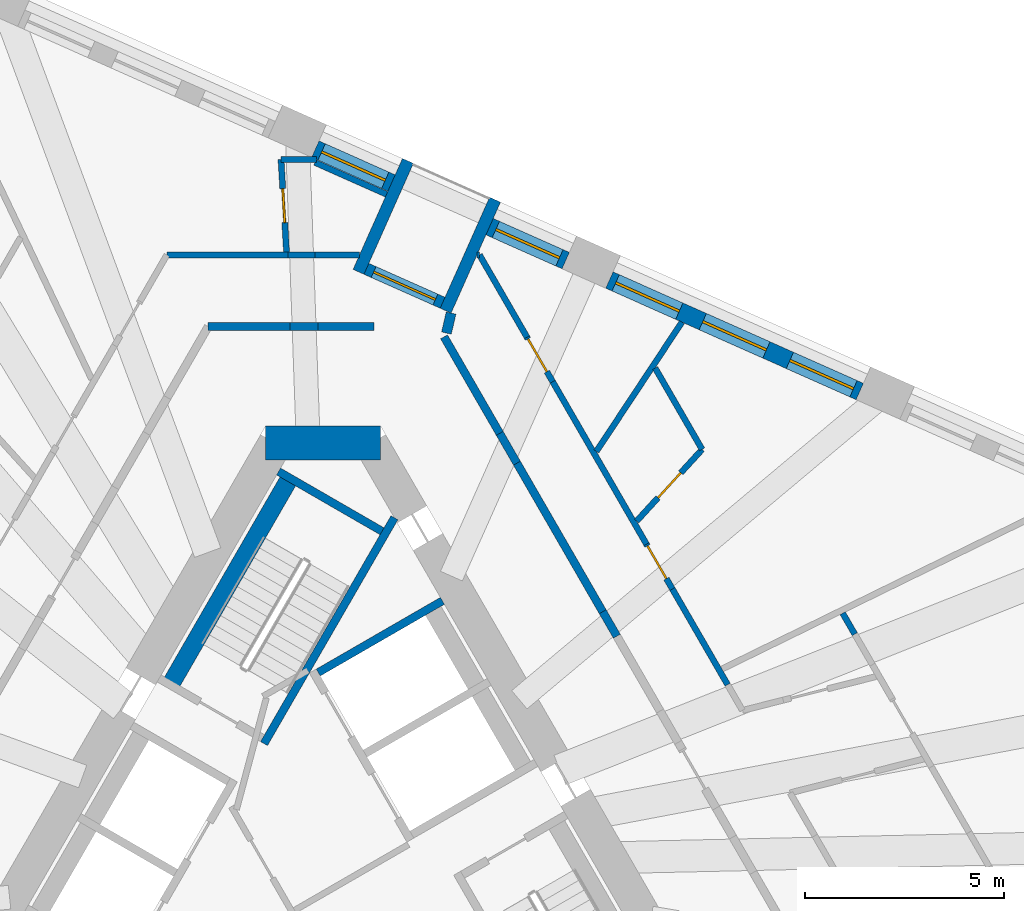
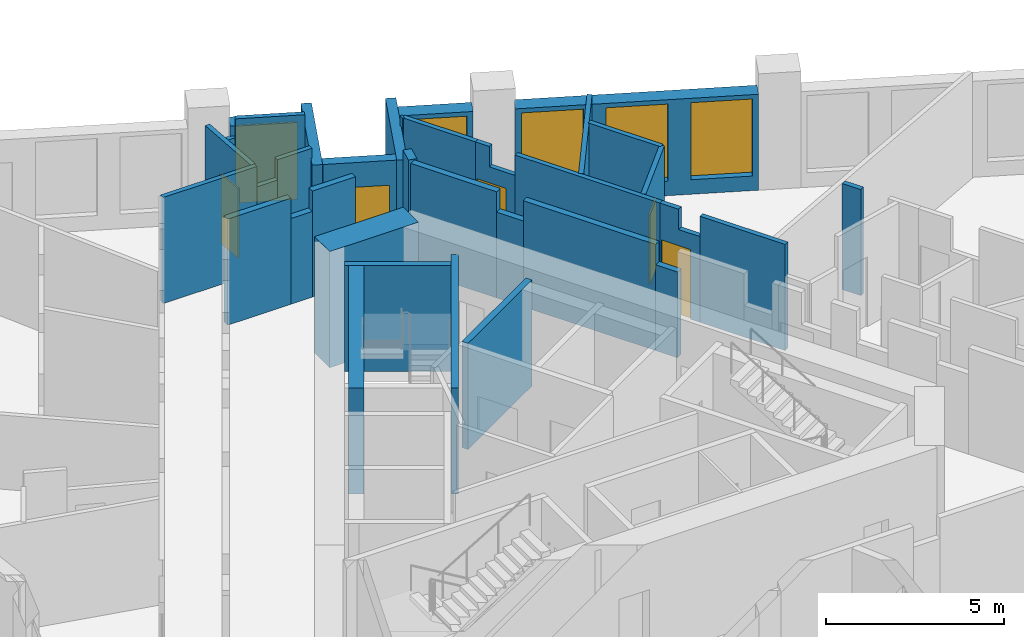
# One storey, part 8 of 14: 35 walls, 5 doors, 5 windows, 10 openings.
"""IFC4 building model written with IfcOpenShell, lengths in metres."""

from ifc_helpers import new_model, si_unit, direction, frame, frame_2d, origin, place, context, subcontext, project, spatial, polyline, rectangle, outline, extrude, material, layer, layer_set, type_object, element, fill, save


model = new_model("IFC4")

# Units and contexts
model_context = context("Model", 3, precision=1e-05, world=origin(), true_north=direction((0.0, 1.0)))
body_context = subcontext(model_context, "Body", "Model", "MODEL_VIEW")
ifc_project = project(units=[si_unit("LENGTHUNIT", "METRE"), si_unit("AREAUNIT", "SQUARE_METRE"), si_unit("VOLUMEUNIT", "CUBIC_METRE"), si_unit("PLANEANGLEUNIT", "RADIAN"), si_unit("MASSUNIT", "GRAM", prefix="KILO")], contexts=[model_context])

# Site, building, storey
site_placement = place(None, origin())
site = spatial("IfcSite", under=ifc_project, at=site_placement, CompositionType="ELEMENT")
building_placement = place(site_placement, origin())
building = spatial("IfcBuilding", under=site, at=building_placement, Name="Tramontana Tower", CompositionType="ELEMENT")
storey_placement = place(building_placement, frame((0.0, 0.0, 174.800048828125)))
storey = spatial("IfcBuildingStorey", under=building, at=storey_placement, Name="L40", CompositionType="ELEMENT", Elevation=174.800048828125)

# Walls
ifc_material_1 = material(Name="Concrete 70 MPa", Category="concrete")
ifc_layer_1 = layer(ifc_material_1, 0.85009765625)
ifc_layer_set_1 = layer_set([ifc_layer_1], Name="Core wall 850 70 MPa")
wall_type_1 = type_object("IfcWallType", Name="Core wall 850 70 MPa", PredefinedType="SHEAR", material=ifc_layer_set_1)
wall_1_placement = place(storey_placement, frame((1.443359375, 10.574951171875, 0.0), z_axis=(0.0, 0.0, 1.0), x_axis=(-1.0, 0.0, 0.0)))
element("IfcWall", 1, at=wall_1_placement, inside=storey, type_object=wall_type_1, Name="Core wall C0 L40", PredefinedType="SHEAR", context=body_context, shape_type="SweptSolid", body=[
    extrude(rectangle(XDim=2.88671875, YDim=0.85009765625, at=frame_2d((1.443359375, 0.0))), origin(), (0.0, 0.0, 1.0), 4.0),
])
ifc_material_2 = material(Name="Blockwork", Category="masonry")
ifc_layer_2 = layer(ifc_material_2, 0.199951171875)
ifc_layer_set_2 = layer_set([ifc_layer_2], Name="ENTRY WALL 200")
wall_type_2 = type_object("IfcWallType", Name="ENTRY WALL 200", PredefinedType="SOLIDWALL", material=ifc_layer_set_2)
wall_2_placement = place(storey_placement, frame((3.034912109375, 13.243408203125, 0.0), z_axis=(0.0, 0.0, 1.0), x_axis=(0.499976698542, -0.86603885647, 0.0)))
element("IfcWall", 2, at=wall_2_placement, inside=storey, type_object=wall_type_2, Name="Wall v41-ew0-0", PredefinedType="SOLIDWALL", context=body_context, shape_type="SweptSolid", body=[
    extrude(rectangle(XDim=2.798583984375, YDim=0.199951171875, at=frame_2d((1.3994140625, 0.0))), origin(), (0.0, 0.0, 1.0), 3.64990234375),
])
wall_3_placement = place(storey_placement, frame((4.43408203125, 10.81982421875, 0.0), z_axis=(0.0, 0.0, 1.0), x_axis=(0.500023708017, -0.866011715522, 0.0)))
element("IfcWall", 3, at=wall_3_placement, inside=storey, type_object=wall_type_2, Name="Wall v41-ew0-1", PredefinedType="SOLIDWALL", context=body_context, shape_type="SweptSolid", body=[
    extrude(rectangle(XDim=0.865234375, YDim=0.199951171875, at=frame_2d((0.4326171875, 0.0))), origin(), (0.0, 0.0, 1.0), 2.949951171875),
])
wall_4_placement = place(storey_placement, frame((4.86669921875, 10.070556640625, 0.0), z_axis=(0.0, 0.0, 1.0), x_axis=(0.499992344383, -0.866029823712, 0.0)))
element("IfcWall", 4, at=wall_4_placement, inside=storey, type_object=wall_type_2, Name="Wall v41-ew0-2", PredefinedType="SOLIDWALL", context=body_context, shape_type="SweptSolid", body=[
    extrude(rectangle(XDim=4.306640625, YDim=0.199951171875, at=frame_2d((2.1533203125, 0.0))), origin(), (0.0, 0.0, 1.0), 3.64990234375),
])
wall_5_placement = place(storey_placement, frame((7.02001953125, 6.3408203125, 0.0), z_axis=(0.0, 0.0, 1.0), x_axis=(0.50012879774, -0.865951029603, 0.0)))
element("IfcWall", 5, at=wall_5_placement, inside=storey, type_object=wall_type_2, Name="Wall v41-ew0-3", PredefinedType="SOLIDWALL", context=body_context, shape_type="SweptSolid", body=[
    extrude(rectangle(XDim=0.710693359375, YDim=0.199951171875, at=frame_2d((0.35546875, 0.0))), origin(), (0.0, 0.0, 1.0), 2.949951171875),
])
wall_6_placement = place(storey_placement, frame((-2.88671875, 13.5, 0.0), z_axis=(0.0, 0.0, 1.0), x_axis=(1.0, 0.0, 0.0)))
element("IfcWall", 6, at=wall_6_placement, inside=storey, type_object=wall_type_2, Name="Wall v41-ew5-0", PredefinedType="SOLIDWALL", context=body_context, shape_type="SweptSolid", body=[
    extrude(rectangle(XDim=2.057861328125, YDim=0.199951171875, at=frame_2d((1.02880859375, 0.0))), origin(), (0.0, 0.0, 1.0), 3.64990234375),
])
wall_7_placement = place(storey_placement, frame((-0.828857421875, 13.5, 0.0), z_axis=(0.0, 0.0, 1.0), x_axis=(1.0, 0.0, 0.0)))
element("IfcWall", 7, at=wall_7_placement, inside=storey, type_object=wall_type_2, Name="Wall v41-ew5-1", PredefinedType="SOLIDWALL", context=body_context, shape_type="SweptSolid", body=[
    extrude(rectangle(XDim=0.700439453125, YDim=0.199951171875, at=frame_2d((0.35009765625, 0.0))), origin(), (0.0, 0.0, 1.0), 2.949951171875),
])
wall_8_placement = place(storey_placement, frame((-0.12841796875, 13.5, 0.0), z_axis=(0.0, 0.0, 1.0), x_axis=(1.0, 0.0, 0.0)))
element("IfcWall", 8, at=wall_8_placement, inside=storey, type_object=wall_type_2, Name="Wall v41-ew5-2", PredefinedType="SOLIDWALL", context=body_context, shape_type="SweptSolid", body=[
    extrude(rectangle(XDim=1.39990234375, YDim=0.199951171875, at=frame_2d((0.699951171875, 0.0))), origin(), (0.0, 0.0, 1.0), 3.64990234375),
])

# Wall, openings, windows
ifc_material_3 = material(Name="Precast concrete 60 MPa", Category="concrete")
ifc_layer_3 = layer(ifc_material_3, 0.449951171875)
ifc_layer_set_3 = layer_set([ifc_layer_3], Name="Precast concrete 60 MPa, 450 mm")
wall_type_3 = type_object("IfcWallType", Name="EW1 Stone-faced precast wall 450", PredefinedType="SOLIDWALL", material=ifc_layer_set_3)
wall_9_placement = place(storey_placement, frame((13.475830078125, 11.8701171875, 0.0), z_axis=(0.0, 0.0, 1.0), x_axis=(-0.913543675585, 0.40674064562, 0.0)))
wall_9 = element("IfcWall", 9, at=wall_9_placement, inside=storey, type_object=wall_type_3, Name="External wall L40 face 2 bay 3", PredefinedType="SOLIDWALL", context=body_context, shape_type="SweptSolid", body=[
    extrude(rectangle(XDim=6.8828125, YDim=0.449951171875, at=frame_2d((3.44140625, 0.0))), origin(), (0.0, 0.0, 1.0), 3.300048828125),
])
opening_1_placement = place(wall_9_placement, frame((0.172119140625, 0.0, 0.5)))
opening_1 = element("IfcOpeningElement", 10, at=opening_1_placement, cuts=wall_9, Name="Opening M2", PredefinedType="OPENING", context=body_context, shape_type="SweptSolid", body=[
    extrude(rectangle(XDim=1.75, YDim=2.64990234375, at=frame_2d((0.875, 1.324951171875))), frame((0.0, 0.23486328125, 0.0), z_axis=(0.0, -1.0, 0.0), x_axis=(1.0, 0.0, 0.0)), (0.0, 0.0, 1.0), 0.469970703125),
])
opening_2_placement = place(wall_9_placement, frame((2.56640625, 0.0, 0.5)))
opening_2 = element("IfcOpeningElement", 11, at=opening_2_placement, cuts=wall_9, Name="Opening M2", PredefinedType="OPENING", context=body_context, shape_type="SweptSolid", body=[
    extrude(rectangle(XDim=1.75, YDim=2.64990234375, at=frame_2d((0.875, 1.324951171875))), frame((0.0, 0.23486328125, 0.0), z_axis=(0.0, -1.0, 0.0), x_axis=(1.0, 0.0, 0.0)), (0.0, 0.0, 1.0), 0.469970703125),
])
opening_3_placement = place(wall_9_placement, frame((4.960693359375, 0.0, 0.5)))
opening_3 = element("IfcOpeningElement", 12, at=opening_3_placement, cuts=wall_9, Name="Opening M2", PredefinedType="OPENING", context=body_context, shape_type="SweptSolid", body=[
    extrude(rectangle(XDim=1.75, YDim=2.64990234375, at=frame_2d((0.875, 1.324951171875))), frame((0.0, 0.23486328125, 0.0), z_axis=(0.0, -1.0, 0.0), x_axis=(1.0, 0.0, 0.0)), (0.0, 0.0, 1.0), 0.469970703125),
])
ifc_material_4 = material(Name="Aluminum frame, double glazing unit", Category="aluminium")
window_type = type_object("IfcWindowType", Name="M2 Window 1.75 x 2.65", PartitioningType="SINGLE_PANEL", PredefinedType="WINDOW", material=ifc_material_4)
window_1_placement = place(opening_1_placement, origin())
window_1 = element("IfcWindow", 13, at=window_1_placement, inside=storey, type_object=window_type, Name="Window M2 L40 face 2 module 7", OverallHeight=2.64990234375, OverallWidth=1.75, PartitioningType="SINGLE_PANEL", PredefinedType="WINDOW", context=body_context, shape_type="SweptSolid", body=[
    extrude(rectangle(XDim=1.75, YDim=2.64990234375, at=frame_2d((0.875, 1.324951171875))), frame((0.0, 0.030029296875, 0.0), z_axis=(0.0, -1.0, 0.0), x_axis=(1.0, 0.0, 0.0)), (0.0, 0.0, 1.0), 0.06005859375),
])
fill(opening_1, window_1)
window_2_placement = place(opening_2_placement, origin())
window_2 = element("IfcWindow", 14, at=window_2_placement, inside=storey, type_object=window_type, Name="Window M2 L40 face 2 module 8", OverallHeight=2.64990234375, OverallWidth=1.75, PartitioningType="SINGLE_PANEL", PredefinedType="WINDOW", context=body_context, shape_type="SweptSolid", body=[
    extrude(rectangle(XDim=1.75, YDim=2.64990234375, at=frame_2d((0.875, 1.324951171875))), frame((0.0, 0.030029296875, 0.0), z_axis=(0.0, -1.0, 0.0), x_axis=(1.0, 0.0, 0.0)), (0.0, 0.0, 1.0), 0.06005859375),
])
fill(opening_2, window_2)
window_3_placement = place(opening_3_placement, origin())
window_3 = element("IfcWindow", 15, at=window_3_placement, inside=storey, type_object=window_type, Name="Window M2 L40 face 2 module 9", OverallHeight=2.64990234375, OverallWidth=1.75, PartitioningType="SINGLE_PANEL", PredefinedType="WINDOW", context=body_context, shape_type="SweptSolid", body=[
    extrude(rectangle(XDim=1.75, YDim=2.64990234375, at=frame_2d((0.875, 1.324951171875))), frame((0.0, 0.030029296875, 0.0), z_axis=(0.0, -1.0, 0.0), x_axis=(1.0, 0.0, 0.0)), (0.0, 0.0, 1.0), 0.06005859375),
])
fill(opening_3, window_3)

# Wall, opening, window
wall_10_placement = place(storey_placement, frame((6.091796875, 15.15771484375, 0.0), z_axis=(0.0, 0.0, 1.0), x_axis=(-0.913537312596, 0.406754936657, 0.0)))
wall_10 = element("IfcWall", 16, at=wall_10_placement, inside=storey, type_object=wall_type_3, Name="External wall L40 face 2 bay 4", PredefinedType="SOLIDWALL", context=body_context, shape_type="SweptSolid", body=[
    extrude(rectangle(XDim=2.09423828125, YDim=0.449951171875, at=frame_2d((1.047119140625, 0.0))), origin(), (0.0, 0.0, 1.0), 3.300048828125),
])
opening_4_placement = place(wall_10_placement, frame((0.172119140625, 0.0, 0.5)))
opening_4 = element("IfcOpeningElement", 17, at=opening_4_placement, cuts=wall_10, Name="Opening M2", PredefinedType="OPENING", context=body_context, shape_type="SweptSolid", body=[
    extrude(rectangle(XDim=1.75, YDim=2.64990234375, at=frame_2d((0.875, 1.324951171875))), frame((0.0, 0.23486328125, 0.0), z_axis=(0.0, -1.0, 0.0), x_axis=(1.0, 0.0, 0.0)), (0.0, 0.0, 1.0), 0.469970703125),
])
window_4_placement = place(opening_4_placement, origin())
window_4 = element("IfcWindow", 18, at=window_4_placement, inside=storey, type_object=window_type, Name="Window M2 L40 face 2 module 10", OverallHeight=2.64990234375, OverallWidth=1.75, PartitioningType="SINGLE_PANEL", PredefinedType="WINDOW", context=body_context, shape_type="SweptSolid", body=[
    extrude(rectangle(XDim=1.75, YDim=2.64990234375, at=frame_2d((0.875, 1.324951171875))), frame((0.0, 0.030029296875, 0.0), z_axis=(0.0, -1.0, 0.0), x_axis=(1.0, 0.0, 0.0)), (0.0, 0.0, 1.0), 0.06005859375),
])
fill(opening_4, window_4)

wall_11_placement = place(storey_placement, frame((1.71728515625, 17.10546875, 0.0), z_axis=(0.0, 0.0, 1.0), x_axis=(-0.913556597974, 0.40671162056, 0.0)))
wall_11 = element("IfcWall", 19, at=wall_11_placement, inside=storey, type_object=wall_type_3, Name="External wall L40 face 2 bay 4", PredefinedType="SOLIDWALL", context=body_context, shape_type="SweptSolid", body=[
    extrude(rectangle(XDim=2.094482421875, YDim=0.449951171875, at=frame_2d((1.04736328125, 0.0))), origin(), (0.0, 0.0, 1.0), 3.300048828125),
])
opening_5_placement = place(wall_11_placement, frame((0.172119140625, 0.0, 0.5)))
opening_5 = element("IfcOpeningElement", 20, at=opening_5_placement, cuts=wall_11, Name="Opening M2", PredefinedType="OPENING", context=body_context, shape_type="SweptSolid", body=[
    extrude(rectangle(XDim=1.75, YDim=2.64990234375, at=frame_2d((0.875, 1.324951171875))), frame((0.0, 0.23486328125, 0.0), z_axis=(0.0, -1.0, 0.0), x_axis=(1.0, 0.0, 0.0)), (0.0, 0.0, 1.0), 0.469970703125),
])
window_5_placement = place(opening_5_placement, origin())
window_5 = element("IfcWindow", 21, at=window_5_placement, inside=storey, type_object=window_type, Name="Window M2 L40 face 2 module 12", OverallHeight=2.64990234375, OverallWidth=1.75, PartitioningType="SINGLE_PANEL", PredefinedType="WINDOW", context=body_context, shape_type="SweptSolid", body=[
    extrude(rectangle(XDim=1.75, YDim=2.64990234375, at=frame_2d((0.875, 1.324951171875))), frame((0.0, 0.030029296875, 0.0), z_axis=(0.0, -1.0, 0.0), x_axis=(1.0, 0.0, 0.0)), (0.0, 0.0, 1.0), 0.06005859375),
])
fill(opening_5, window_5)

# Wall, opening, door
ifc_material_5 = material(Name="Precast concrete 60 MPa", Category="concrete")
ifc_layer_4 = layer(ifc_material_5, 0.300048828125)
ifc_layer_set_4 = layer_set([ifc_layer_4], Name="LW1 Stone-faced loggia wall 300")
wall_type_4 = type_object("IfcWallType", Name="LW1 Stone-faced loggia wall 300", PredefinedType="SOLIDWALL", material=ifc_layer_set_4)
wall_12_placement = place(storey_placement, frame((2.99951171875, 14.098876953125, 0.0), z_axis=(0.0, 0.0, 1.0), x_axis=(-0.913537312596, 0.406754936657, 0.0)))
wall_12 = element("IfcWall", 22, at=wall_12_placement, inside=storey, type_object=wall_type_4, Name="Loggia wall L40 G4S2.10", PredefinedType="SOLIDWALL", context=body_context, shape_type="SweptSolid", body=[
    extrude(rectangle(XDim=2.09423828125, YDim=0.300048828125, at=frame_2d((1.047119140625, 0.0))), origin(), (0.0, 0.0, 1.0), 3.300048828125),
])
opening_6_placement = place(wall_12_placement, frame((0.197265625, 0.0, 0.0)))
opening_6 = element("IfcOpeningElement", 23, at=opening_6_placement, cuts=wall_12, Name="Opening BD-4S2-10", PredefinedType="OPENING", context=body_context, shape_type="SweptSolid", body=[
    extrude(rectangle(XDim=1.699951171875, YDim=2.449951171875, at=frame_2d((0.85009765625, 1.22509765625))), frame((0.0, 0.159912109375, 0.0), z_axis=(0.0, -1.0, 0.0), x_axis=(1.0, 0.0, 0.0)), (0.0, 0.0, 1.0), 0.320068359375),
])
ifc_material_6 = material(Name="Aluminum frame, double glazing unit", Category="aluminium")
door_type_1 = type_object("IfcDoorType", Name="BD2 Sliding door 1.7 x 2.45", OperationType="SLIDING_TO_LEFT", PredefinedType="DOOR", material=ifc_material_6)
door_1_placement = place(opening_6_placement, origin())
door_1 = element("IfcDoor", 24, at=door_1_placement, inside=storey, type_object=door_type_1, Name="Loggia door L40 G4S2.10", OperationType="SLIDING_TO_LEFT", OverallHeight=2.449951171875, OverallWidth=1.699951171875, PredefinedType="DOOR", context=body_context, shape_type="SweptSolid", body=[
    extrude(rectangle(XDim=1.699951171875, YDim=2.449951171875, at=frame_2d((0.85009765625, 1.22509765625))), frame((0.0, 0.02490234375, 0.0), z_axis=(0.0, -1.0, 0.0), x_axis=(1.0, 0.0, 0.0)), (0.0, 0.0, 1.0), 0.050048828125),
])
fill(opening_6, door_1)

# Walls
wall_13_placement = place(storey_placement, frame((4.316162109375, 16.687255859375, 0.0), z_axis=(0.0, 0.0, 1.0), x_axis=(-0.406710256677, -0.913557205168, 0.0)))
element("IfcWall", 25, at=wall_13_placement, inside=storey, type_object=wall_type_4, Name="Loggia return L40 G4S2.10a", PredefinedType="SOLIDWALL", context=body_context, shape_type="SweptSolid", body=[
    extrude(rectangle(XDim=3.050048828125, YDim=0.300048828125, at=frame_2d((1.52490234375, 0.0))), origin(), (0.0, 0.0, 1.0), 3.300048828125),
])
wall_14_placement = place(storey_placement, frame((2.12890625, 17.660888671875, 0.0), z_axis=(0.0, 0.0, 1.0), x_axis=(-0.406806804169, -0.913514216683, 0.0)))
element("IfcWall", 26, at=wall_14_placement, inside=storey, type_object=wall_type_4, Name="Loggia return L40 G4S2.10b", PredefinedType="SOLIDWALL", context=body_context, shape_type="SweptSolid", body=[
    extrude(rectangle(XDim=3.0498046875, YDim=0.300048828125, at=frame_2d((1.52490234375, 0.0))), origin(), (0.0, 0.0, 1.0), 3.300048828125),
])
ifc_material_7 = material(Name="Gypsum board partition")
ifc_layer_5 = layer(ifc_material_7, 0.14990234375)
ifc_layer_set_5 = layer_set([ifc_layer_5], Name="PARTITION 150")
wall_type_5 = type_object("IfcWallType", Name="PARTITION 150", PredefinedType="PARTITIONING", material=ifc_layer_set_5)
wall_15_placement = place(storey_placement, frame((-3.92578125, 15.300048828125, 0.0), z_axis=(0.0, 0.0, 1.0), x_axis=(1.0, 0.0, 0.0)))
element("IfcWall", 27, at=wall_15_placement, inside=storey, type_object=wall_type_5, Name="Wall v41-pw23-0", PredefinedType="PARTITIONING", context=body_context, shape_type="SweptSolid", body=[
    extrude(rectangle(XDim=3.045654296875, YDim=0.14990234375, at=frame_2d((1.52294921875, 0.0))), origin(), (0.0, 0.0, 1.0), 3.64990234375),
])
wall_16_placement = place(storey_placement, frame((-0.880126953125, 15.300048828125, 0.0), z_axis=(0.0, 0.0, 1.0), x_axis=(1.0, 0.0, 0.0)))
element("IfcWall", 28, at=wall_16_placement, inside=storey, type_object=wall_type_5, Name="Wall v41-pw23-1", PredefinedType="PARTITIONING", context=body_context, shape_type="SweptSolid", body=[
    extrude(rectangle(XDim=0.67529296875, YDim=0.14990234375, at=frame_2d((0.337646484375, 0.0))), origin(), (0.0, 0.0, 1.0), 2.949951171875),
])
wall_17_placement = place(storey_placement, frame((-0.204833984375, 15.300048828125, 0.0), z_axis=(0.0, 0.0, 1.0), x_axis=(1.0, 0.0, 0.0)))
element("IfcWall", 29, at=wall_17_placement, inside=storey, type_object=wall_type_5, Name="Wall v41-pw23-2", PredefinedType="PARTITIONING", context=body_context, shape_type="SweptSolid", body=[
    extrude(rectangle(XDim=1.1181640625, YDim=0.14990234375, at=frame_2d((0.55908203125, 0.0))), origin(), (0.0, 0.0, 1.0), 3.64990234375),
])
wall_18_placement = place(storey_placement, frame((-1.05859375, 17.699951171875, 0.0), z_axis=(0.0, 0.0, 1.0), x_axis=(1.0, 0.0, 0.0)))
element("IfcWall", 30, at=wall_18_placement, inside=storey, type_object=wall_type_5, Name="Wall v41-pw25-0", PredefinedType="PARTITIONING", context=body_context, shape_type="SweptSolid", body=[
    extrude(rectangle(XDim=0.88720703125, YDim=0.14990234375, at=frame_2d((0.443603515625, 0.0))), origin(), (0.0, 0.0, 1.0), 2.949951171875),
])

# Wall, opening, door
wall_19_placement = place(storey_placement, frame((-1.05859375, 17.699951171875, 0.0), z_axis=(0.0, 0.0, 1.0), x_axis=(0.059643707448, -0.998219729399, 0.0)))
wall_19 = element("IfcWall", 31, at=wall_19_placement, inside=storey, type_object=wall_type_5, Name="Wall v41-pw27", PredefinedType="PARTITIONING", context=body_context, shape_type="SweptSolid", body=[
    extrude(rectangle(XDim=2.3291015625, YDim=0.14990234375, at=frame_2d((1.16455078125, 0.0))), origin(), (0.0, 0.0, 1.0), 3.64990234375),
])
opening_7_placement = place(wall_19_placement, frame((0.739501953125, 0.0, 0.0)))
opening_7 = element("IfcOpeningElement", 32, at=opening_7_placement, cuts=wall_19, Name="Opening B4B-06", PredefinedType="OPENING", context=body_context, shape_type="SweptSolid", body=[
    extrude(rectangle(XDim=0.85009765625, YDim=2.39990234375, at=frame_2d((0.425048828125, 1.199951171875))), frame((0.0, 0.0849609375, 0.0), z_axis=(0.0, -1.0, 0.0), x_axis=(1.0, 0.0, 0.0)), (0.0, 0.0, 1.0), 0.169921875),
])
ifc_material_8 = material(Name="Painted timber", Category="wood")
door_type_2 = type_object("IfcDoorType", Name="DOOR BATH 850", OperationType="SINGLE_SWING_LEFT", PredefinedType="DOOR", material=ifc_material_8)
door_2_placement = place(opening_7_placement, origin())
door_2 = element("IfcDoor", 33, at=door_2_placement, inside=storey, type_object=door_type_2, Name="Door B4B-06", OperationType="SINGLE_SWING_RIGHT", OverallHeight=2.39990234375, OverallWidth=0.85009765625, PredefinedType="DOOR", context=body_context, shape_type="SweptSolid", body=[
    extrude(rectangle(XDim=0.85009765625, YDim=2.39990234375, at=frame_2d((0.425048828125, 1.199951171875))), frame((0.0, 0.02490234375, 0.0), z_axis=(0.0, -1.0, 0.0), x_axis=(1.0, 0.0, 0.0)), (0.0, 0.0, 1.0), 0.050048828125),
])
fill(opening_7, door_2)

# Walls
wall_20_placement = place(storey_placement, frame((-0.2060546875, 17.622314453125, 0.0), z_axis=(0.0, 0.0, 1.0), x_axis=(0.91356059905, -0.406702633214, 0.0)))
element("IfcWall", 34, at=wall_20_placement, inside=storey, type_object=wall_type_5, Name="Wall v41-pw29", PredefinedType="PARTITIONING", context=body_context, shape_type="SweptSolid", body=[
    extrude(rectangle(XDim=1.967041015625, YDim=0.14990234375, at=frame_2d((0.9833984375, 0.0))), origin(), (0.0, 0.0, 1.0), 3.64990234375),
])
wall_21_placement = place(storey_placement, frame((3.86279296875, 15.300048828125, 0.0), z_axis=(0.0, 0.0, 1.0), x_axis=(1.0, 0.0, 0.0)))
element("IfcWall", 35, at=wall_21_placement, inside=storey, type_object=wall_type_5, Name="Wall v41-pw32", PredefinedType="PARTITIONING", context=body_context, shape_type="SweptSolid", body=[
    extrude(rectangle(XDim=0.063232421875, YDim=0.14990234375, at=frame_2d((0.03173828125, 0.0))), origin(), (0.0, 0.0, 1.0), 3.64990234375),
])
wall_22_placement = place(storey_placement, frame((3.926025390625, 15.300048828125, 0.0), z_axis=(0.0, 0.0, 1.0), x_axis=(0.499958704643, -0.866049244357, 0.0)))
element("IfcWall", 36, at=wall_22_placement, inside=storey, type_object=wall_type_5, Name="Wall v41-pw33-0", PredefinedType="PARTITIONING", context=body_context, shape_type="SweptSolid", body=[
    extrude(rectangle(XDim=2.385498046875, YDim=0.14990234375, at=frame_2d((1.19287109375, 0.0))), origin(), (0.0, 0.0, 1.0), 3.64990234375),
])

# Wall, opening, door
wall_23_placement = place(storey_placement, frame((5.11865234375, 13.234130859375, 0.0), z_axis=(0.0, 0.0, 1.0), x_axis=(0.49998445949, -0.866034375916, 0.0)))
wall_23 = element("IfcWall", 37, at=wall_23_placement, inside=storey, type_object=wall_type_5, Name="Wall v41-pw33-1", PredefinedType="PARTITIONING", context=body_context, shape_type="SweptSolid", body=[
    extrude(outline(polyline([(0.0, 0.0), (1.29052734375, 0.0), (1.29052734375, 2.949951171875), (0.456298828125, 2.949951171875), (0.456298828125, 3.64990234375), (0.0, 3.64990234375), (0.0, 0.0)])), frame((0.0, 0.074951171875, 0.0), z_axis=(0.0, -1.0, 0.0), x_axis=(1.0, 0.0, 0.0)), (0.0, 0.0, 1.0), 0.14990234375),
])
opening_8_placement = place(wall_23_placement, frame((0.050048828125, 0.0, 0.0)))
opening_8 = element("IfcOpeningElement", 38, at=opening_8_placement, cuts=wall_23, Name="Opening B4B-20", PredefinedType="OPENING", context=body_context, shape_type="SweptSolid", body=[
    extrude(rectangle(XDim=0.949951171875, YDim=2.39990234375, at=frame_2d((0.47509765625, 1.199951171875))), frame((0.0, 0.0849609375, 0.0), z_axis=(0.0, -1.0, 0.0), x_axis=(1.0, 0.0, 0.0)), (0.0, 0.0, 1.0), 0.169921875),
])
ifc_material_9 = material(Name="Painted timber", Category="wood")
door_type_3 = type_object("IfcDoorType", Name="DOOR ROOM 950", OperationType="SINGLE_SWING_LEFT", PredefinedType="DOOR", material=ifc_material_9)
door_3_placement = place(opening_8_placement, origin())
door_3 = element("IfcDoor", 39, at=door_3_placement, inside=storey, type_object=door_type_3, Name="Door B4B-20", OperationType="SINGLE_SWING_RIGHT", OverallHeight=2.39990234375, OverallWidth=0.949951171875, PredefinedType="DOOR", context=body_context, shape_type="SweptSolid", body=[
    extrude(rectangle(XDim=0.949951171875, YDim=2.39990234375, at=frame_2d((0.47509765625, 1.199951171875))), frame((0.0, 0.02490234375, 0.0), z_axis=(0.0, -1.0, 0.0), x_axis=(1.0, 0.0, 0.0)), (0.0, 0.0, 1.0), 0.050048828125),
])
fill(opening_8, door_3)

# Wall
wall_24_placement = place(storey_placement, frame((5.763916015625, 12.116455078125, 0.0), z_axis=(0.0, 0.0, 1.0), x_axis=(0.500024556659, -0.866011225527, 0.0)))
element("IfcWall", 40, at=wall_24_placement, inside=storey, type_object=wall_type_5, Name="Wall v41-pw33-2", PredefinedType="PARTITIONING", context=body_context, shape_type="SweptSolid", body=[
    extrude(rectangle(XDim=4.710205078125, YDim=0.14990234375, at=frame_2d((2.35498046875, 0.0))), origin(), (0.0, 0.0, 1.0), 3.64990234375),
])

# Wall, opening, door
wall_25_placement = place(storey_placement, frame((8.119140625, 8.037353515625, 0.0), z_axis=(0.0, 0.0, 1.0), x_axis=(0.499993127296, -0.866029371706, 0.0)))
wall_25 = element("IfcWall", 41, at=wall_25_placement, inside=storey, type_object=wall_type_5, Name="Wall v41-pw33-3", PredefinedType="PARTITIONING", context=body_context, shape_type="SweptSolid", body=[
    extrude(outline(polyline([(0.0, 0.0), (1.30126953125, 0.0), (1.30126953125, 2.949951171875), (0.615966796875, 2.949951171875), (0.615966796875, 3.64990234375), (0.0, 3.64990234375), (0.0, 0.0)])), frame((0.0, 0.074951171875, 0.0), z_axis=(0.0, -1.0, 0.0), x_axis=(1.0, 0.0, 0.0)), (0.0, 0.0, 1.0), 0.14990234375),
])
opening_9_placement = place(wall_25_placement, frame((0.050048828125, 0.0, 0.0)))
opening_9 = element("IfcOpeningElement", 42, at=opening_9_placement, cuts=wall_25, Name="Opening B4B-19", PredefinedType="OPENING", context=body_context, shape_type="SweptSolid", body=[
    extrude(rectangle(XDim=0.949951171875, YDim=2.39990234375, at=frame_2d((0.47509765625, 1.199951171875))), frame((0.0, 0.0849609375, 0.0), z_axis=(0.0, -1.0, 0.0), x_axis=(1.0, 0.0, 0.0)), (0.0, 0.0, 1.0), 0.169921875),
])
door_4_placement = place(opening_9_placement, origin())
door_4 = element("IfcDoor", 43, at=door_4_placement, inside=storey, type_object=door_type_3, Name="Door B4B-19", OperationType="SINGLE_SWING_LEFT", OverallHeight=2.39990234375, OverallWidth=0.949951171875, PredefinedType="DOOR", context=body_context, shape_type="SweptSolid", body=[
    extrude(rectangle(XDim=0.949951171875, YDim=2.39990234375, at=frame_2d((0.47509765625, 1.199951171875))), frame((0.0, 0.02490234375, 0.0), z_axis=(0.0, -1.0, 0.0), x_axis=(1.0, 0.0, 0.0)), (0.0, 0.0, 1.0), 0.050048828125),
])
fill(opening_9, door_4)

# Walls
wall_26_placement = place(storey_placement, frame((8.769775390625, 6.910400390625, 0.0), z_axis=(0.0, 0.0, 1.0), x_axis=(0.50000932403, -0.866020020486, 0.0)))
element("IfcWall", 44, at=wall_26_placement, inside=storey, type_object=wall_type_5, Name="Wall v41-pw33-4", PredefinedType="PARTITIONING", context=body_context, shape_type="SweptSolid", body=[
    extrude(rectangle(XDim=2.77490234375, YDim=0.14990234375, at=frame_2d((1.387451171875, 0.0))), origin(), (0.0, 0.0, 1.0), 3.64990234375),
])
wall_27_placement = place(storey_placement, frame((6.861328125, 10.365966796875, 0.0), z_axis=(0.0, 0.0, 1.0), x_axis=(0.551889349285, 0.833917349709, 0.0)))
element("IfcWall", 45, at=wall_27_placement, inside=storey, type_object=wall_type_5, Name="Wall v41-pw38", PredefinedType="PARTITIONING", context=body_context, shape_type="SweptSolid", body=[
    extrude(rectangle(XDim=3.892822265625, YDim=0.14990234375, at=frame_2d((1.9462890625, 0.0))), origin(), (0.0, 0.0, 1.0), 3.64990234375),
])
wall_28_placement = place(storey_placement, frame((8.3369140625, 12.4599609375, 0.0), z_axis=(0.0, 0.0, 1.0), x_axis=(0.500032858622, -0.866006432019, 0.0)))
element("IfcWall", 46, at=wall_28_placement, inside=storey, type_object=wall_type_5, Name="Wall v41-pw39", PredefinedType="PARTITIONING", context=body_context, shape_type="SweptSolid", body=[
    extrude(rectangle(XDim=2.360107421875, YDim=0.14990234375, at=frame_2d((1.18017578125, 0.0))), origin(), (0.0, 0.0, 1.0), 3.64990234375),
])

# Wall, opening, door
wall_29_placement = place(storey_placement, frame((7.871826171875, 8.615478515625, 0.0), z_axis=(0.0, 0.0, 1.0), x_axis=(0.674558873368, 0.738221055214, 0.0)))
wall_29 = element("IfcWall", 47, at=wall_29_placement, inside=storey, type_object=wall_type_5, Name="Wall v41-pw40", PredefinedType="PARTITIONING", context=body_context, shape_type="SweptSolid", body=[
    extrude(rectangle(XDim=2.43896484375, YDim=0.14990234375, at=frame_2d((1.219482421875, 0.0))), origin(), (0.0, 0.0, 1.0), 3.64990234375),
])
opening_10_placement = place(wall_29_placement, frame((0.79443359375, 0.0, 0.0)))
opening_10 = element("IfcOpeningElement", 48, at=opening_10_placement, cuts=wall_29, Name="Opening B4B-22", PredefinedType="OPENING", context=body_context, shape_type="SweptSolid", body=[
    extrude(rectangle(XDim=0.85009765625, YDim=2.39990234375, at=frame_2d((0.425048828125, 1.199951171875))), frame((0.0, 0.0849609375, 0.0), z_axis=(0.0, -1.0, 0.0), x_axis=(1.0, 0.0, 0.0)), (0.0, 0.0, 1.0), 0.169921875),
])
door_5_placement = place(opening_10_placement, origin())
door_5 = element("IfcDoor", 49, at=door_5_placement, inside=storey, type_object=door_type_2, Name="Door B4B-22", OperationType="SINGLE_SWING_RIGHT", OverallHeight=2.39990234375, OverallWidth=0.85009765625, PredefinedType="DOOR", context=body_context, shape_type="SweptSolid", body=[
    extrude(rectangle(XDim=0.85009765625, YDim=2.39990234375, at=frame_2d((0.425048828125, 1.199951171875))), frame((0.0, 0.02490234375, 0.0), z_axis=(0.0, -1.0, 0.0), x_axis=(1.0, 0.0, 0.0)), (0.0, 0.0, 1.0), 0.050048828125),
])
fill(opening_10, door_5)

# Walls
wall_30_placement = place(storey_placement, frame((13.046875, 6.30224609375, 0.0), z_axis=(0.0, 0.0, 1.0), x_axis=(0.500116839517, -0.865957935948, 0.0)))
element("IfcWall", 50, at=wall_30_placement, inside=storey, type_object=wall_type_5, Name="Wall v41-pw44-0", PredefinedType="PARTITIONING", context=body_context, shape_type="SweptSolid", body=[
    extrude(rectangle(XDim=0.607177734375, YDim=0.14990234375, at=frame_2d((0.3037109375, 0.0))), origin(), (0.0, 0.0, 1.0), 3.64990234375),
])
ifc_material_10 = material(Name="Blockwork", Category="masonry")
ifc_layer_6 = layer(ifc_material_10, 0.25)
ifc_layer_set_6 = layer_set([ifc_layer_6], Name="PARTY WALL 250")
wall_type_6 = type_object("IfcWallType", Name="PARTY WALL 250", PredefinedType="SOLIDWALL", material=ifc_layer_set_6)
wall_31_placement = place(storey_placement, frame((3.212646484375, 13.83984375, 0.0), z_axis=(0.0, 0.0, 1.0), x_axis=(-0.226346335248, -0.974046886202, 0.0)))
element("IfcWall", 51, at=wall_31_placement, inside=storey, type_object=wall_type_6, Name="Wall v41-pw30", PredefinedType="SOLIDWALL", context=body_context, shape_type="SweptSolid", body=[
    extrude(rectangle(XDim=0.515625, YDim=0.25, at=frame_2d((0.2578125, 0.0))), origin(), (0.0, 0.0, 1.0), 3.64990234375),
])
ifc_material_11 = material(Name="Concrete 70 MPa", Category="concrete")
ifc_layer_7 = layer(ifc_material_11, 0.449951171875)
ifc_layer_set_7 = layer_set([ifc_layer_7], Name="Concrete 70 MPa, 450 mm")
wall_type_7 = type_object("IfcWallType", Name="RC SHAFT BACK WALL 450", PredefinedType="SOLIDWALL", material=ifc_layer_set_7)
wall_32_placement = place(storey_placement, frame((-0.7880859375, 9.784912109375, 0.0), z_axis=(0.0, 0.0, 1.0), x_axis=(-0.500009909098, -0.866019682689, 0.0)))
element("IfcWall", 52, at=wall_32_placement, inside=storey, type_object=wall_type_7, Name="Wall st1-back", PredefinedType="SOLIDWALL", context=body_context, shape_type="SweptSolid", body=[
    extrude(rectangle(XDim=6.199951171875, YDim=0.449951171875, at=frame_2d((3.10009765625, 0.0))), origin(), (0.0, 0.0, 1.0), 3.64990234375),
])
ifc_material_12 = material(Name="Concrete 70 MPa", Category="concrete")
ifc_layer_8 = layer(ifc_material_12, 0.199951171875)
ifc_layer_set_8 = layer_set([ifc_layer_8], Name="Concrete 70 MPa, 200 mm")
wall_type_8 = type_object("IfcWallType", Name="RC STAIR AND SHAFT WALL 200", PredefinedType="SOLIDWALL", material=ifc_layer_set_8)
wall_33_placement = place(storey_placement, frame((1.789794921875, 8.699951171875, 0.0), z_axis=(0.0, 0.0, 1.0), x_axis=(-0.499999959354, -0.866025427251, 0.0)))
element("IfcWall", 53, at=wall_33_placement, inside=storey, type_object=wall_type_8, Name="Wall st1-front", PredefinedType="SOLIDWALL", context=body_context, shape_type="SweptSolid", body=[
    extrude(rectangle(XDim=6.54931640625, YDim=0.199951171875, at=frame_2d((3.274658203125, 0.0))), origin(), (0.0, 0.0, 1.0), 3.64990234375),
])
wall_34_placement = place(storey_placement, frame((1.478515625, 8.36083984375, 0.0), z_axis=(0.0, 0.0, 1.0), x_axis=(-0.866031096941, 0.499990139034, 0.0)))
element("IfcWall", 54, at=wall_34_placement, inside=storey, type_object=wall_type_8, Name="Wall st1-far", PredefinedType="SOLIDWALL", context=body_context, shape_type="SweptSolid", body=[
    extrude(rectangle(XDim=3.0, YDim=0.199951171875, at=frame_2d((1.5, 0.0))), origin(), (0.0, 0.0, 1.0), 3.64990234375),
])
wall_35_placement = place(storey_placement, frame((-0.123046875, 4.813232421875, 0.0), z_axis=(0.0, 0.0, 1.0), x_axis=(0.866018442252, 0.500012057535, 0.0)))
element("IfcWall", 55, at=wall_35_placement, inside=storey, type_object=wall_type_8, Name="Wall row2-side2", PredefinedType="SOLIDWALL", context=body_context, shape_type="SweptSolid", body=[
    extrude(rectangle(XDim=3.60009765625, YDim=0.199951171875, at=frame_2d((1.800048828125, 0.0))), origin(), (0.0, 0.0, 1.0), 3.64990234375),
])

save(model, "model.ifc")
